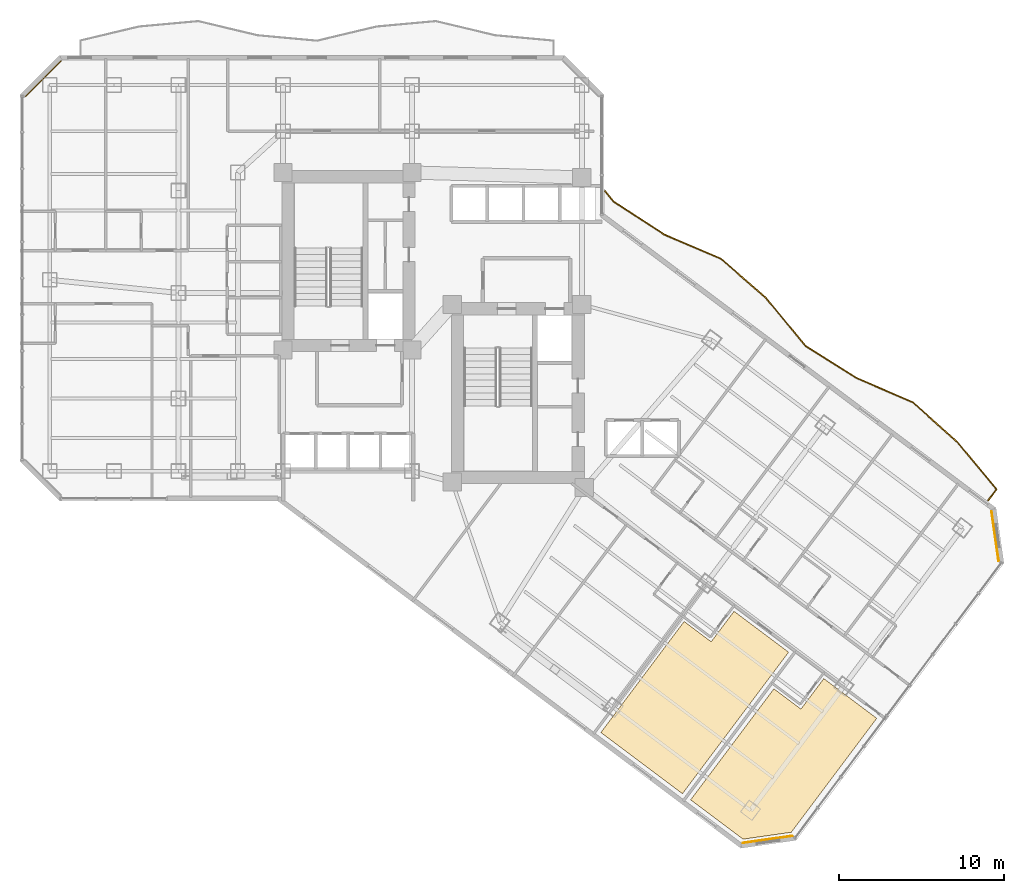
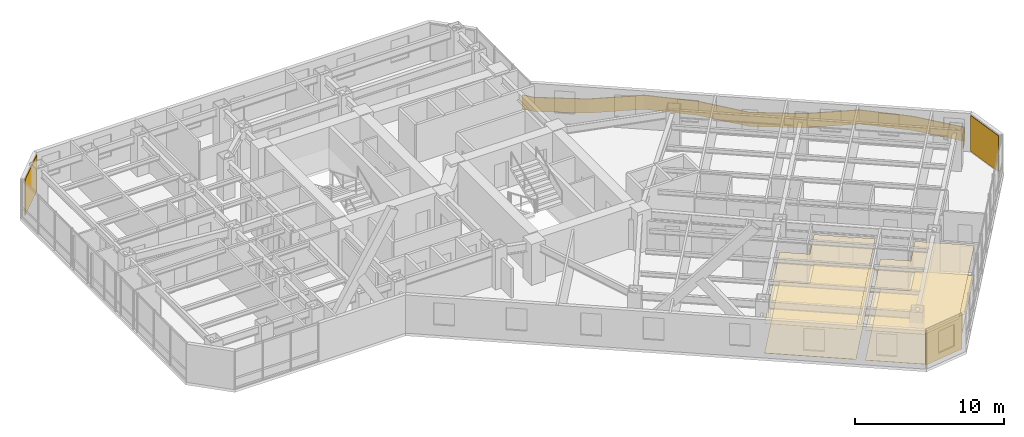
# One storey, part 28 of 30: 7 coverings, 1 railing.
"""IFC4 building model written with IfcOpenShell, lengths in metres."""

from ifc_helpers import new_model, si_unit, direction, frame, origin, origin_2d, place, context, subcontext, project, spatial, polyline, rectangle, outline, extrude, material, layer, layer_set, type_object, element, save


model = new_model("IFC4")

# Units and contexts
model_context = context("Model", 3, precision=1e-05, world=origin(), true_north=direction((0.0, 1.0)))
body_context = subcontext(model_context, "Body", "Model", "MODEL_VIEW")
ifc_project = project(units=[si_unit("LENGTHUNIT", "METRE"), si_unit("AREAUNIT", "SQUARE_METRE"), si_unit("VOLUMEUNIT", "CUBIC_METRE"), si_unit("PLANEANGLEUNIT", "RADIAN"), si_unit("MASSUNIT", "GRAM", prefix="KILO")], contexts=[model_context])

# Site, building, storey
site_placement = place(None, origin())
site = spatial("IfcSite", under=ifc_project, at=site_placement, CompositionType="ELEMENT")
building_placement = place(site_placement, origin())
building = spatial("IfcBuilding", under=site, at=building_placement, Name="Hatsunagi Terrace Concourse", CompositionType="ELEMENT")
storey_placement = place(building_placement, frame((0.0, 0.0, 74.60009765625)))
storey = spatial("IfcBuildingStorey", under=building, at=storey_placement, Name="L19", CompositionType="ELEMENT", Elevation=74.60009765625)

# Covering
ifc_material_1 = material(Name="Acoustic mineral board", Category="gypsum")
ifc_layer_1 = layer(ifc_material_1, 0.02001953125)
ifc_layer_set_1 = layer_set([ifc_layer_1], Name="AcousticMineralCeiling_20")
covering_type_1 = type_object("IfcCoveringType", Name="AcousticMineralCeiling_20", PredefinedType="CEILING", material=ifc_layer_set_1)
covering_1_placement = place(storey_placement, frame((0.0, 0.0, 2.419921875)))
element("IfcCovering", 1, at=covering_1_placement, inside=storey, type_object=covering_type_1, Name="Suspended Ceiling L19-1", PredefinedType="CEILING", context=body_context, shape_type="SweptSolid", body=[
    extrude(outline(polyline([(49.75, 5.64990234375), (56.181884765625, 14.22607421875), (52.8759765625, 16.705078125), (51.491943359375, 14.862060546875), (49.85302734375, 16.087890625), (44.805908203125, 9.35791015625), (49.75, 5.64990234375)])), origin(), (0.0, 0.0, 1.0), 0.02001953125),
])

# Railing
ifc_material_2 = material(Name="Laminated Glass and Stainless Steel Guard", Category="steel")
ifc_layer_2 = layer(ifc_material_2, 0.070068359375)
ifc_layer_set_2 = layer_set([ifc_layer_2], Name="BalconyGlassGuardRail_1150")
railing_type = type_object("IfcRailingType", Name="BalconyGlassGuardRail_1150", PredefinedType="BALUSTRADE", material=ifc_layer_set_2)
railing_placement = place(storey_placement, origin())
element("IfcRailing", 2, at=railing_placement, inside=storey, type_object=railing_type, Name="Engawa Balcony Guard GRD-01 L19-BSE-1", PredefinedType="BALUSTRADE", context=body_context, shape_type="SweptSolid", body=[
    extrude(outline(polyline([(45.072998046875, 42.214111328125), (45.018798828125, 42.169921875), (45.561279296875, 41.505615234375), (48.631591796875, 39.510009765625), (52.067138671875, 38.0439453125), (54.796875, 35.66162109375), (57.1787109375, 32.771484375), (60.279541015625, 30.81689453125), (63.703857421875, 29.338134765625), (66.402587890625, 26.914794921875), (68.743408203125, 24.099853515625), (68.241943359375, 23.430908203125), (68.298095703125, 23.388916015625), (68.83251953125, 24.10205078125), (66.453369140625, 26.96337890625), (63.7421875, 29.39794921875), (60.3125, 30.879150390625), (57.225341796875, 32.82470703125), (54.84716796875, 35.71044921875), (52.104736328125, 38.10400390625), (48.66455078125, 39.572021484375), (45.608642578125, 41.558349609375), (45.072998046875, 42.214111328125)])), origin(), (0.0, 0.0, 1.0), 1.14990234375),
])

# Coverings
ifc_material_3 = material(Name="Granite stone paving", Category="masonry")
ifc_layer_3 = layer(ifc_material_3, 0.02490234375)
ifc_layer_set_3 = layer_set([ifc_layer_3], Name="GraniteStoneFlooring_25")
covering_type_2 = type_object("IfcCoveringType", Name="GraniteStoneFlooring_25", PredefinedType="FLOORING", material=ifc_layer_set_3)
covering_2_placement = place(storey_placement, origin())
element("IfcCovering", 3, at=covering_2_placement, inside=storey, type_object=covering_type_2, Name="Finished Flooring L19-1", PredefinedType="FLOORING", context=body_context, shape_type="SweptSolid", body=[
    extrude(outline(polyline([(49.75, 5.64990234375), (56.181884765625, 14.22607421875), (52.8759765625, 16.705078125), (51.491943359375, 14.862060546875), (49.85302734375, 16.087890625), (44.805908203125, 9.35791015625), (49.75, 5.64990234375)])), origin(), (0.0, 0.0, 1.0), 0.02490234375),
])
ifc_material_4 = material(Name="Hardwood timber", Category="wood")
ifc_layer_4 = layer(ifc_material_4, 0.014892578125)
ifc_layer_set_4 = layer_set([ifc_layer_4], Name="HardwoodTimberFlooring_15")
covering_type_3 = type_object("IfcCoveringType", Name="HardwoodTimberFlooring_15", PredefinedType="FLOORING", material=ifc_layer_set_4)
covering_3_placement = place(storey_placement, origin())
element("IfcCovering", 4, at=covering_3_placement, inside=storey, type_object=covering_type_3, Name="Finished Flooring L19-2", PredefinedType="FLOORING", context=body_context, shape_type="SweptSolid", body=[
    extrude(outline(polyline([(56.347900390625, 3.31396484375), (61.52587890625, 10.218017578125), (58.31591796875, 12.625), (56.931884765625, 10.781982421875), (55.29296875, 12.008056640625), (50.24609375, 5.278076171875), (53.422119140625, 2.89599609375), (56.347900390625, 3.31396484375)])), origin(), (0.0, 0.0, 1.0), 0.014892578125),
])
ifc_material_5 = material(Name="Unglazed Warm Terracotta Rainscreen Tile", Category="masonry")
ifc_layer_5 = layer(ifc_material_5, 0.044921875)
ifc_layer_set_5 = layer_set([ifc_layer_5], Name="TerracottaRainscreenCladding_45")
covering_type_4 = type_object("IfcCoveringType", Name="TerracottaRainscreenCladding_45", PredefinedType="CLADDING", material=ifc_layer_set_5)
for number, where, z_axis, x_axis, name in (
    (5, (68.700927734375, 21.258056640625, 0.10009765625), (0.0, 0.0, 1.0), (0.141250262458, -0.989973920543, 0.0), "Terracotta Rainscreen Cladding L19-02"),
    (6, (54.91796875, 2.87890625, 0.10009765625), (0.0, 0.0, 1.0), (-0.989973920543, -0.141250262458, 0.0), "Terracotta Rainscreen Cladding L19-04"),
    (7, (11.013916015625, 48.986083984375, 0.10009765625), (0.0, 0.0, 1.0), (0.707106781187, 0.707106781187, 0.0), "Terracotta Rainscreen Cladding L19-10"),
):
    element("IfcCovering", number, at=place(storey_placement, frame(where, z_axis=z_axis, x_axis=x_axis)), inside=storey, type_object=covering_type_4, Name=name, PredefinedType="CLADDING", context=body_context, shape_type="SweptSolid", body=[
        extrude(rectangle(XDim=3.0380859375, YDim=0.044921875, at=origin_2d()), origin(), (0.0, 0.0, 1.0), 2.929931640625),
    ])
ifc_material_6 = material(Name="Hardwood timber", Category="wood")
ifc_layer_6 = layer(ifc_material_6, 0.034912109375)
ifc_layer_set_6 = layer_set([ifc_layer_6], Name="TimberBaffleCeiling_35")
covering_type_5 = type_object("IfcCoveringType", Name="TimberBaffleCeiling_35", PredefinedType="CEILING", material=ifc_layer_set_6)
covering_4_placement = place(storey_placement, frame((0.0, 0.0, 2.419921875)))
element("IfcCovering", 8, at=covering_4_placement, inside=storey, type_object=covering_type_5, Name="Suspended Ceiling L19-2", PredefinedType="CEILING", context=body_context, shape_type="SweptSolid", body=[
    extrude(outline(polyline([(56.347900390625, 3.31396484375), (61.52587890625, 10.218017578125), (58.31591796875, 12.625), (56.931884765625, 10.781982421875), (55.29296875, 12.008056640625), (50.24609375, 5.278076171875), (53.422119140625, 2.89599609375), (56.347900390625, 3.31396484375)])), origin(), (0.0, 0.0, 1.0), 0.034912109375),
])

save(model, "model.ifc")
